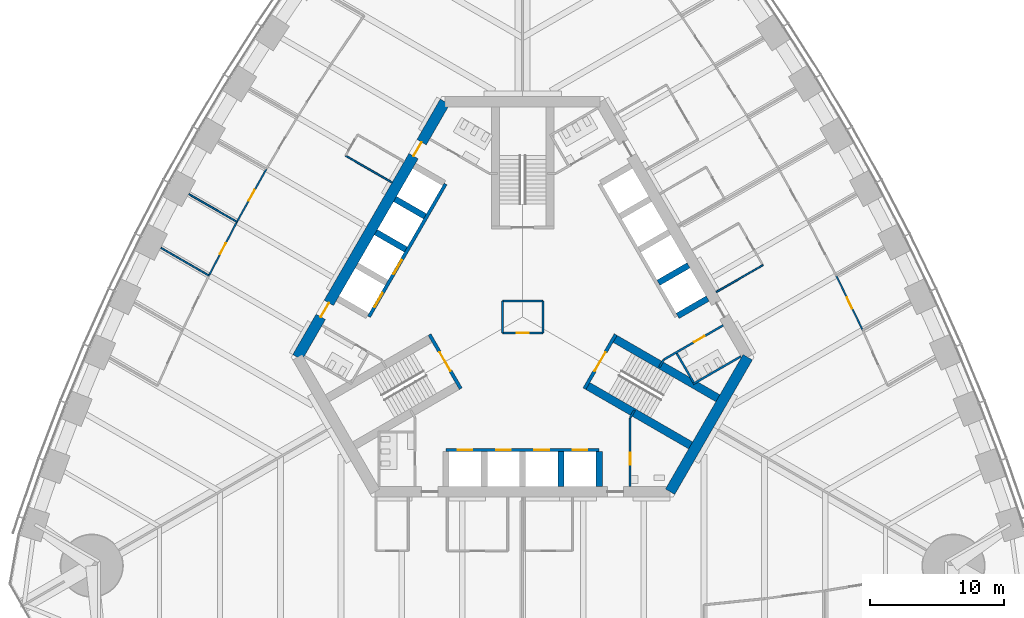
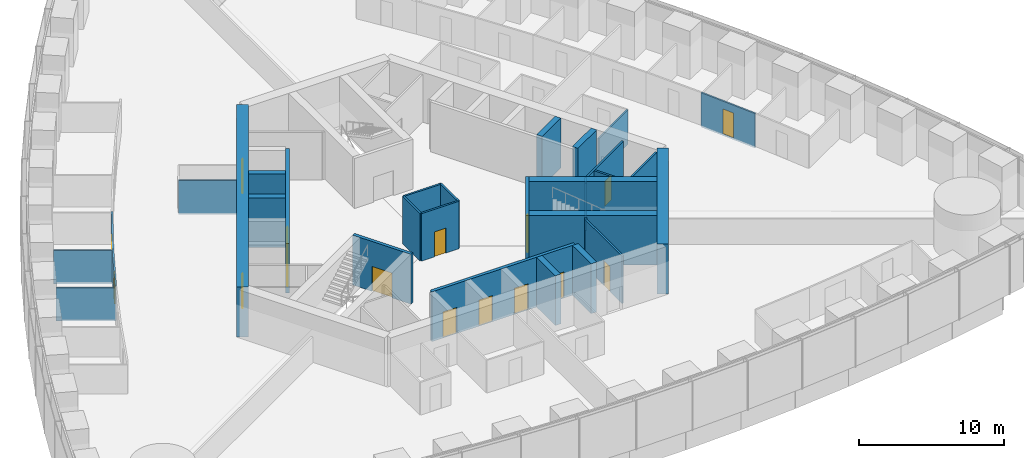
# One storey, part 11 of 19: 31 walls, 16 doors, 16 openings.
"""IFC4 building model written with IfcOpenShell, lengths in metres."""

from ifc_helpers import new_model, si_unit, direction, frame, frame_2d, origin, place, context, subcontext, project, spatial, rectangle, extrude, material, layer, layer_set, type_object, element, fill, save


model = new_model("IFC4")

# Units and contexts
model_context = context("Model", 3, precision=1e-05, world=origin(), true_north=direction((0.0, 1.0)))
body_context = subcontext(model_context, "Body", "Model", "MODEL_VIEW")
ifc_project = project(units=[si_unit("LENGTHUNIT", "METRE"), si_unit("AREAUNIT", "SQUARE_METRE"), si_unit("VOLUMEUNIT", "CUBIC_METRE"), si_unit("PLANEANGLEUNIT", "RADIAN"), si_unit("MASSUNIT", "GRAM", prefix="KILO")], contexts=[model_context])

# Site, building, storey
site_placement = place(None, origin())
site = spatial("IfcSite", under=ifc_project, at=site_placement, CompositionType="ELEMENT")
building_placement = place(site_placement, origin())
building = spatial("IfcBuilding", under=site, at=building_placement, Name="Trefoil Bronze Tower", CompositionType="ELEMENT")
storey_placement = place(building_placement, frame((0.0, 0.0, 79.5)))
storey = spatial("IfcBuildingStorey", under=building, at=storey_placement, Name="L18", CompositionType="ELEMENT", Elevation=79.5)

# Wall
ifc_material_1 = material(Name="Concrete B80", Category="concrete")
ifc_layer_1 = layer(ifc_material_1, 0.800048828125)
ifc_layer_set_1 = layer_set([ifc_layer_1], Name="Core wall 800")
wall_type_1 = type_object("IfcWallType", Name="Core wall 800", PredefinedType="SHEAR", material=ifc_layer_set_1)
wall_1_placement = place(storey_placement, frame((10.9697265625, -13.0, 0.0), z_axis=(0.0, 0.0, 1.0), x_axis=(0.499995765644, 0.866027848477, 0.0)))
element("IfcWall", 1, at=wall_1_placement, inside=storey, type_object=wall_type_1, Name="Core short wall 1 L18", PredefinedType="SHEAR", context=body_context, shape_type="SweptSolid", body=[
    extrude(rectangle(XDim=11.546875, YDim=0.800048828125, at=frame_2d((5.7734375, 0.0))), origin(), (0.0, 0.0, 1.0), 4.199951171875),
])

# Wall, openings, doors
wall_2_placement = place(storey_placement, frame((-5.7734375, 16.0, 0.0), z_axis=(0.0, 0.0, 1.0), x_axis=(-0.500002442456, -0.866023993627, 0.0)))
wall_2 = element("IfcWall", 2, at=wall_2_placement, inside=storey, type_object=wall_type_1, Name="Core long wall 3 L18", PredefinedType="SHEAR", context=body_context, shape_type="SweptSolid", body=[
    extrude(rectangle(XDim=21.939453125, YDim=0.800048828125, at=frame_2d((10.9697265625, 0.0))), origin(), (0.0, 0.0, 1.0), 4.199951171875),
])
opening_1_placement = place(wall_2_placement, frame((17.269775390625, 0.0, 0.0)))
opening_1 = element("IfcOpeningElement", 3, at=opening_1_placement, cuts=wall_2, Name="Opening D2", PredefinedType="OPENING", context=body_context, shape_type="SweptSolid", body=[
    extrude(rectangle(XDim=1.199951171875, YDim=2.10009765625, at=frame_2d((0.60009765625, 1.050048828125))), frame((0.0, 0.409912109375, 0.0), z_axis=(0.0, -1.0, 0.0), x_axis=(1.0, 0.0, 0.0)), (0.0, 0.0, 1.0), 0.820068359375),
])
opening_2_placement = place(wall_2_placement, frame((3.4697265625, 0.0, 0.0)))
opening_2 = element("IfcOpeningElement", 4, at=opening_2_placement, cuts=wall_2, Name="Opening D2", PredefinedType="OPENING", context=body_context, shape_type="SweptSolid", body=[
    extrude(rectangle(XDim=1.199951171875, YDim=2.10009765625, at=frame_2d((0.60009765625, 1.050048828125))), frame((0.0, 0.409912109375, 0.0), z_axis=(0.0, -1.0, 0.0), x_axis=(1.0, 0.0, 0.0)), (0.0, 0.0, 1.0), 0.820068359375),
])
ifc_material_2 = material(Name="Steel door", Category="steel")
door_type_1 = type_object("IfcDoorType", Name="Lobby door 1200", OperationType="SINGLE_SWING_RIGHT", PredefinedType="DOOR", material=ifc_material_2)
door_1_placement = place(opening_1_placement, origin())
door_1 = element("IfcDoor", 5, at=door_1_placement, inside=storey, type_object=door_type_1, Name="Lobby door F3+ L18", OperationType="SINGLE_SWING_RIGHT", OverallHeight=2.10009765625, OverallWidth=1.199951171875, PredefinedType="DOOR", context=body_context, shape_type="SweptSolid", body=[
    extrude(rectangle(XDim=1.199951171875, YDim=2.10009765625, at=frame_2d((0.60009765625, 1.050048828125))), frame((0.0, 0.02490234375, 0.0), z_axis=(0.0, -1.0, 0.0), x_axis=(1.0, 0.0, 0.0)), (0.0, 0.0, 1.0), 0.050048828125),
])
fill(opening_1, door_1)
door_2_placement = place(opening_2_placement, origin())
door_2 = element("IfcDoor", 6, at=door_2_placement, inside=storey, type_object=door_type_1, Name="Lobby door F3- L18", OperationType="SINGLE_SWING_LEFT", OverallHeight=2.10009765625, OverallWidth=1.199951171875, PredefinedType="DOOR", context=body_context, shape_type="SweptSolid", body=[
    extrude(rectangle(XDim=1.199951171875, YDim=2.10009765625, at=frame_2d((0.60009765625, 1.050048828125))), frame((0.0, 0.02490234375, 0.0), z_axis=(0.0, -1.0, 0.0), x_axis=(1.0, 0.0, 0.0)), (0.0, 0.0, 1.0), 0.050048828125),
])
fill(opening_2, door_2)

# Wall
ifc_material_3 = material(Name="Glazed partition", Category="glass")
ifc_layer_2 = layer(ifc_material_3, 0.1201171875)
ifc_layer_set_2 = layer_set([ifc_layer_2], Name="Glazed partition 120")
wall_type_2 = type_object("IfcWallType", Name="Glazed partition 120", PredefinedType="PARTITIONING", material=ifc_layer_set_2)
wall_3_placement = place(storey_placement, frame((14.40478515625, 1.850341796875, 0.0), z_axis=(0.0, 0.0, 1.0), x_axis=(0.866026010844, 0.49999894854, 0.0)))
element("IfcWall", 7, at=wall_3_placement, inside=storey, type_object=wall_type_2, Name="Partition F2 L18", PredefinedType="PARTITIONING", context=body_context, shape_type="SweptSolid", body=[
    extrude(rectangle(XDim=4.0, YDim=0.1201171875, at=frame_2d((2.0, 0.0))), origin(), (0.0, 0.0, 1.0), 2.89990234375),
])

# Wall, opening, door
wall_4_placement = place(storey_placement, frame((25.291748046875, -0.986328125, 0.0), z_axis=(0.0, 0.0, 1.0), x_axis=(-0.435857917556, 0.900015486369, 0.0)))
wall_4 = element("IfcWall", 8, at=wall_4_placement, inside=storey, type_object=wall_type_2, Name="Partition F2 L18", PredefinedType="PARTITIONING", context=body_context, shape_type="SweptSolid", body=[
    extrude(rectangle(XDim=4.511962890625, YDim=0.1201171875, at=frame_2d((2.255859375, 0.0))), origin(), (0.0, 0.0, 1.0), 2.89990234375),
])
opening_3_placement = place(wall_4_placement, frame((1.800048828125, 0.0, 0.14990234375)))
opening_3 = element("IfcOpeningElement", 9, at=opening_3_placement, cuts=wall_4, Name="Opening D8", PredefinedType="OPENING", context=body_context, shape_type="SweptSolid", body=[
    extrude(rectangle(XDim=0.89990234375, YDim=2.10009765625, at=frame_2d((0.449951171875, 1.050048828125))), frame((0.0, 0.070068359375, 0.0), z_axis=(0.0, -1.0, 0.0), x_axis=(1.0, 0.0, 0.0)), (0.0, 0.0, 1.0), 0.14013671875),
])
ifc_material_4 = material(Name="Timber door", Category="wood")
door_type_2 = type_object("IfcDoorType", Name="Office door 900", OperationType="SINGLE_SWING_LEFT", PredefinedType="DOOR", material=ifc_material_4)
door_3_placement = place(opening_3_placement, frame((0.89990234375, 0.0, 0.0), z_axis=(0.0, 0.0, 1.0), x_axis=(-1.0, 0.0, 0.0)))
door_3 = element("IfcDoor", 10, at=door_3_placement, inside=storey, type_object=door_type_2, Name="Office door F2 L18", OperationType="SINGLE_SWING_RIGHT", OverallHeight=2.10009765625, OverallWidth=0.89990234375, PredefinedType="DOOR", context=body_context, shape_type="SweptSolid", body=[
    extrude(rectangle(XDim=0.89990234375, YDim=2.10009765625, at=frame_2d((0.449951171875, 1.050048828125))), frame((0.0, 0.02490234375, 0.0), z_axis=(0.0, -1.0, 0.0), x_axis=(1.0, 0.0, 0.0)), (0.0, 0.0, 1.0), 0.050048828125),
])
fill(opening_3, door_3)

# Wall
wall_5_placement = place(storey_placement, frame((-9.704833984375, 9.990966796875, 0.0), z_axis=(0.0, 0.0, 1.0), x_axis=(-0.866026010844, 0.49999894854, 0.0)))
element("IfcWall", 11, at=wall_5_placement, inside=storey, type_object=wall_type_2, Name="Partition F3 L18", PredefinedType="PARTITIONING", context=body_context, shape_type="SweptSolid", body=[
    extrude(rectangle(XDim=4.0, YDim=0.1201171875, at=frame_2d((2.0, 0.0))), origin(), (0.0, 0.0, 1.0), 2.89990234375),
])

# Wall, opening, door
wall_6_placement = place(storey_placement, frame((-19.051513671875, 10.999267578125, 0.0), z_axis=(0.0, 0.0, 1.0), x_axis=(-0.487373854787, -0.873193406795, 0.0)))
wall_6 = element("IfcWall", 12, at=wall_6_placement, inside=storey, type_object=wall_type_2, Name="Partition F3 L18", PredefinedType="PARTITIONING", context=body_context, shape_type="SweptSolid", body=[
    extrude(rectangle(XDim=4.500244140625, YDim=0.1201171875, at=frame_2d((2.25, 0.0))), origin(), (0.0, 0.0, 1.0), 2.89990234375),
])
opening_4_placement = place(wall_6_placement, frame((1.800048828125, 0.0, 0.14990234375)))
opening_4 = element("IfcOpeningElement", 13, at=opening_4_placement, cuts=wall_6, Name="Opening D8", PredefinedType="OPENING", context=body_context, shape_type="SweptSolid", body=[
    extrude(rectangle(XDim=0.89990234375, YDim=2.10009765625, at=frame_2d((0.449951171875, 1.050048828125))), frame((0.0, 0.070068359375, 0.0), z_axis=(0.0, -1.0, 0.0), x_axis=(1.0, 0.0, 0.0)), (0.0, 0.0, 1.0), 0.14013671875),
])
door_4_placement = place(opening_4_placement, frame((0.89990234375, 0.0, 0.0), z_axis=(0.0, 0.0, 1.0), x_axis=(-1.0, 0.0, 0.0)))
door_4 = element("IfcDoor", 14, at=door_4_placement, inside=storey, type_object=door_type_2, Name="Office door F3 L18", OperationType="SINGLE_SWING_RIGHT", OverallHeight=2.10009765625, OverallWidth=0.89990234375, PredefinedType="DOOR", context=body_context, shape_type="SweptSolid", body=[
    extrude(rectangle(XDim=0.89990234375, YDim=2.10009765625, at=frame_2d((0.449951171875, 1.050048828125))), frame((0.0, 0.02490234375, 0.0), z_axis=(0.0, -1.0, 0.0), x_axis=(1.0, 0.0, 0.0)), (0.0, 0.0, 1.0), 0.050048828125),
])
fill(opening_4, door_4)

wall_7_placement = place(storey_placement, frame((-21.244873046875, 7.069580078125, 0.0), z_axis=(0.0, 0.0, 1.0), x_axis=(-0.461852697957, -0.886956642339, 0.0)))
wall_7 = element("IfcWall", 15, at=wall_7_placement, inside=storey, type_object=wall_type_2, Name="Partition F3 L18", PredefinedType="PARTITIONING", context=body_context, shape_type="SweptSolid", body=[
    extrude(rectangle(XDim=4.50439453125, YDim=0.1201171875, at=frame_2d((2.252197265625, 0.0))), origin(), (0.0, 0.0, 1.0), 2.89990234375),
])
opening_5_placement = place(wall_7_placement, frame((1.800048828125, 0.0, 0.14990234375)))
opening_5 = element("IfcOpeningElement", 16, at=opening_5_placement, cuts=wall_7, Name="Opening D8", PredefinedType="OPENING", context=body_context, shape_type="SweptSolid", body=[
    extrude(rectangle(XDim=0.89990234375, YDim=2.10009765625, at=frame_2d((0.449951171875, 1.050048828125))), frame((0.0, 0.070068359375, 0.0), z_axis=(0.0, -1.0, 0.0), x_axis=(1.0, 0.0, 0.0)), (0.0, 0.0, 1.0), 0.14013671875),
])
door_5_placement = place(opening_5_placement, frame((0.89990234375, 0.0, 0.0), z_axis=(0.0, 0.0, 1.0), x_axis=(-1.0, 0.0, 0.0)))
door_5 = element("IfcDoor", 17, at=door_5_placement, inside=storey, type_object=door_type_2, Name="Office door F3 L18", OperationType="SINGLE_SWING_RIGHT", OverallHeight=2.10009765625, OverallWidth=0.89990234375, PredefinedType="DOOR", context=body_context, shape_type="SweptSolid", body=[
    extrude(rectangle(XDim=0.89990234375, YDim=2.10009765625, at=frame_2d((0.449951171875, 1.050048828125))), frame((0.0, 0.02490234375, 0.0), z_axis=(0.0, -1.0, 0.0), x_axis=(1.0, 0.0, 0.0)), (0.0, 0.0, 1.0), 0.050048828125),
])
fill(opening_5, door_5)

# Walls
wall_8_placement = place(storey_placement, frame((-21.244873046875, 7.069580078125, 0.0), z_axis=(0.0, 0.0, 1.0), x_axis=(-0.866031617834, 0.499989236795, 0.0)))
element("IfcWall", 18, at=wall_8_placement, inside=storey, type_object=wall_type_2, Name="Partition F3 L18", PredefinedType="PARTITIONING", context=body_context, shape_type="SweptSolid", body=[
    extrude(rectangle(XDim=4.119140625, YDim=0.1201171875, at=frame_2d((2.0595703125, 0.0))), origin(), (0.0, 0.0, 1.0), 2.800048828125),
])
wall_9_placement = place(storey_placement, frame((-23.3251953125, 3.074462890625, 0.0), z_axis=(0.0, 0.0, 1.0), x_axis=(-0.866030556495, 0.499991075137, 0.0)))
element("IfcWall", 19, at=wall_9_placement, inside=storey, type_object=wall_type_2, Name="Partition F3 L18", PredefinedType="PARTITIONING", context=body_context, shape_type="SweptSolid", body=[
    extrude(rectangle(XDim=4.1171875, YDim=0.1201171875, at=frame_2d((2.05859375, 0.0))), origin(), (0.0, 0.0, 1.0), 2.800048828125),
])
ifc_material_5 = material(Name="Concrete B80", Category="concrete")
ifc_layer_3 = layer(ifc_material_5, 0.449951171875)
ifc_layer_set_3 = layer_set([ifc_layer_3], Name="Outrigger shaft wall 450")
wall_type_3 = type_object("IfcWallType", Name="Outrigger shaft wall 450", PredefinedType="SHEAR", material=ifc_layer_set_3)
for number, where, z_axis, x_axis, name in (
    (20, (2.85009765625, -10.02490234375, 0.0), (0.0, 0.0, 1.0), (0.0, -1.0, 0.0), "Lift shaft side wall A3 L18"),
    (21, (5.699951171875, -10.02490234375, 0.0), (0.0, 0.0, 1.0), (0.0, -1.0, 0.0), "Lift shaft side wall A4 L18"),
):
    element("IfcWall", number, at=place(storey_placement, frame(where, z_axis=z_axis, x_axis=x_axis)), inside=storey, type_object=wall_type_3, Name=name, PredefinedType="SHEAR", context=body_context, shape_type="SweptSolid", body=[
        extrude(rectangle(XDim=2.5751953125, YDim=0.449951171875, at=frame_2d((1.28759765625, 0.0))), origin(), (0.0, 0.0, 1.0), 4.199951171875),
    ])
for number, where, z_axis, x_axis, name in (
    (22, (11.531982421875, 0.076171875, 0.0), (0.0, 0.0, 1.0), (0.866005588531, 0.500034319456, 0.0), "Lift shaft side wall B0 L18"),
    (23, (10.10693359375, 2.54443359375, 0.0), (0.0, 0.0, 1.0), (0.866046643894, 0.499963209246, 0.0), "Lift shaft side wall B1 L18"),
    (24, (-7.2568359375, 7.480712890625, 0.0), (0.0, 0.0, 1.0), (-0.866046643894, 0.499963209246, 0.0), "Lift shaft side wall C1 L18"),
    (25, (-8.681884765625, 5.012451171875, 0.0), (0.0, 0.0, 1.0), (-0.866005588531, 0.500034319456, 0.0), "Lift shaft side wall C2 L18"),
):
    element("IfcWall", number, at=place(storey_placement, frame(where, z_axis=z_axis, x_axis=x_axis)), inside=storey, type_object=wall_type_3, Name=name, PredefinedType="SHEAR", context=body_context, shape_type="SweptSolid", body=[
        extrude(rectangle(XDim=2.574951171875, YDim=0.449951171875, at=frame_2d((1.28759765625, 0.0))), origin(), (0.0, 0.0, 1.0), 4.199951171875),
    ])

# Wall, opening, door
ifc_material_6 = material(Name="Gypsum board on steel studs", Category="steel")
ifc_layer_4 = layer(ifc_material_6, 0.14990234375)
ifc_layer_set_4 = layer_set([ifc_layer_4], Name="Partition 150")
wall_type_4 = type_object("IfcWallType", Name="Partition 150", PredefinedType="PARTITIONING", material=ifc_layer_set_4)
wall_10_placement = place(storey_placement, frame((8.0, -7.5, 0.0), z_axis=(0.0, 0.0, 1.0), x_axis=(0.0, -1.0, 0.0)))
wall_10 = element("IfcWall", 26, at=wall_10_placement, inside=storey, type_object=wall_type_4, Name="Passage wall F1+ L18", PredefinedType="PARTITIONING", context=body_context, shape_type="SweptSolid", body=[
    extrude(rectangle(XDim=5.10009765625, YDim=0.14990234375, at=frame_2d((2.550048828125, 0.0))), origin(), (0.0, 0.0, 1.0), 4.0),
])
opening_6_placement = place(wall_10_placement, frame((2.60009765625, 0.0, 0.0)))
opening_6 = element("IfcOpeningElement", 27, at=opening_6_placement, cuts=wall_10, Name="Opening D3", PredefinedType="OPENING", context=body_context, shape_type="SweptSolid", body=[
    extrude(rectangle(XDim=0.89990234375, YDim=2.10009765625, at=frame_2d((0.449951171875, 1.050048828125))), frame((0.0, 0.0849609375, 0.0), z_axis=(0.0, -1.0, 0.0), x_axis=(1.0, 0.0, 0.0)), (0.0, 0.0, 1.0), 0.169921875),
])
ifc_material_7 = material(Name="Timber door", Category="wood")
door_type_3 = type_object("IfcDoorType", Name="WC door 900", OperationType="SINGLE_SWING_LEFT", PredefinedType="DOOR", material=ifc_material_7)
door_6_placement = place(opening_6_placement, origin())
door_6 = element("IfcDoor", 28, at=door_6_placement, inside=storey, type_object=door_type_3, Name="Accessible WC door L18", OperationType="SINGLE_SWING_RIGHT", OverallHeight=2.10009765625, OverallWidth=0.89990234375, PredefinedType="DOOR", context=body_context, shape_type="SweptSolid", body=[
    extrude(rectangle(XDim=0.89990234375, YDim=2.10009765625, at=frame_2d((0.449951171875, 1.050048828125))), frame((0.0, 0.02490234375, 0.0), z_axis=(0.0, -1.0, 0.0), x_axis=(1.0, 0.0, 0.0)), (0.0, 0.0, 1.0), 0.050048828125),
])
fill(opening_6, door_6)

wall_11_placement = place(storey_placement, frame((10.4951171875, -3.17822265625, 0.0), z_axis=(0.0, 0.0, 1.0), x_axis=(0.86602216432, 0.500005610874, 0.0)))
wall_11 = element("IfcWall", 29, at=wall_11_placement, inside=storey, type_object=wall_type_4, Name="Passage wall F2- L18", PredefinedType="PARTITIONING", context=body_context, shape_type="SweptSolid", body=[
    extrude(rectangle(XDim=5.10009765625, YDim=0.14990234375, at=frame_2d((2.550048828125, 0.0))), origin(), (0.0, 0.0, 1.0), 4.0),
])
opening_7_placement = place(wall_11_placement, frame((2.60009765625, 0.0, 0.0)))
opening_7 = element("IfcOpeningElement", 30, at=opening_7_placement, cuts=wall_11, Name="Opening D3", PredefinedType="OPENING", context=body_context, shape_type="SweptSolid", body=[
    extrude(rectangle(XDim=0.89990234375, YDim=2.10009765625, at=frame_2d((0.449951171875, 1.050048828125))), frame((0.0, 0.0849609375, 0.0), z_axis=(0.0, -1.0, 0.0), x_axis=(1.0, 0.0, 0.0)), (0.0, 0.0, 1.0), 0.169921875),
])
door_7_placement = place(opening_7_placement, frame((0.89990234375, 0.0, 0.0), z_axis=(0.0, 0.0, 1.0), x_axis=(-1.0, 0.0, 0.0)))
door_7 = element("IfcDoor", 31, at=door_7_placement, inside=storey, type_object=door_type_3, Name="WC (women) door L18", OperationType="SINGLE_SWING_RIGHT", OverallHeight=2.10009765625, OverallWidth=0.89990234375, PredefinedType="DOOR", context=body_context, shape_type="SweptSolid", body=[
    extrude(rectangle(XDim=0.89990234375, YDim=2.10009765625, at=frame_2d((0.449951171875, 1.050048828125))), frame((0.0, 0.02490234375, 0.0), z_axis=(0.0, -1.0, 0.0), x_axis=(1.0, 0.0, 0.0)), (0.0, 0.0, 1.0), 0.050048828125),
])
fill(opening_7, door_7)

# Walls
for number, where, z_axis, x_axis, name in (
    (32, (8.0, -7.5, 0.0), (0.0, 0.0, 1.0), (0.499842556608, 0.866116284689, 0.0), "WC wall ST1-1 L18"),
    (33, (10.4951171875, -3.17822265625, 0.0), (0.0, 0.0, 1.0), (-0.499842556608, -0.866116284689, 0.0), "WC wall ST1+1 L18"),
):
    element("IfcWall", number, at=place(storey_placement, frame(where, z_axis=z_axis, x_axis=x_axis)), inside=storey, type_object=wall_type_4, Name=name, PredefinedType="PARTITIONING", context=body_context, shape_type="SweptSolid", body=[
        extrude(rectangle(XDim=0.645263671875, YDim=0.14990234375, at=frame_2d((0.32275390625, 0.0))), origin(), (0.0, 0.0, 1.0), 4.0),
    ])
wall_12_placement = place(storey_placement, frame((12.691162109375, -4.98193359375, 0.0), z_axis=(0.0, 0.0, 1.0), x_axis=(0.8660249478, 0.500000789788, 0.0)))
element("IfcWall", 34, at=wall_12_placement, inside=storey, type_object=wall_type_4, Name="WC partition WC (women) L18", PredefinedType="PARTITIONING", context=body_context, shape_type="SweptSolid", body=[
    extrude(rectangle(XDim=4.10009765625, YDim=0.14990234375, at=frame_2d((2.050048828125, 0.0))), origin(), (0.0, 0.0, 1.0), 4.0),
])
wall_13_placement = place(storey_placement, frame((11.463623046875, -2.70556640625, 0.0), z_axis=(0.0, 0.0, 1.0), x_axis=(0.50001992892, -0.866013897511, 0.0)))
element("IfcWall", 35, at=wall_13_placement, inside=storey, type_object=wall_type_4, Name="WC partition WC (women) L18", PredefinedType="PARTITIONING", context=body_context, shape_type="SweptSolid", body=[
    extrude(rectangle(XDim=2.51025390625, YDim=0.14990234375, at=frame_2d((1.255126953125, 0.0))), origin(), (0.0, 0.0, 1.0), 4.0),
])

# Wall, opening, door
ifc_material_8 = material(Name="Gypsum board on steel studs", Category="steel")
ifc_layer_5 = layer(ifc_material_8, 0.14990234375)
ifc_layer_set_5 = layer_set([ifc_layer_5], Name="Riser wall 150")
wall_type_5 = type_object("IfcWallType", Name="Riser wall 150", PredefinedType="PARTITIONING", material=ifc_layer_set_5)
wall_14_placement = place(storey_placement, frame((-1.5, -1.199951171875, 0.0), z_axis=(0.0, 0.0, 1.0), x_axis=(1.0, 0.0, 0.0)))
wall_14 = element("IfcWall", 36, at=wall_14_placement, inside=storey, type_object=wall_type_5, Name="Riser wall L18", PredefinedType="PARTITIONING", context=body_context, shape_type="SweptSolid", body=[
    extrude(rectangle(XDim=3.0, YDim=0.14990234375, at=frame_2d((1.5, 0.0))), origin(), (0.0, 0.0, 1.0), 4.0),
])
opening_8_placement = place(wall_14_placement, frame((1.050048828125, 0.0, 0.0)))
opening_8 = element("IfcOpeningElement", 37, at=opening_8_placement, cuts=wall_14, Name="Opening D4", PredefinedType="OPENING", context=body_context, shape_type="SweptSolid", body=[
    extrude(rectangle(XDim=0.89990234375, YDim=2.10009765625, at=frame_2d((0.449951171875, 1.050048828125))), frame((0.0, 0.0849609375, 0.0), z_axis=(0.0, -1.0, 0.0), x_axis=(1.0, 0.0, 0.0)), (0.0, 0.0, 1.0), 0.169921875),
])
ifc_material_9 = material(Name="Steel door", Category="steel")
door_type_4 = type_object("IfcDoorType", Name="Riser door 900", OperationType="SINGLE_SWING_LEFT", PredefinedType="DOOR", material=ifc_material_9)
door_8_placement = place(opening_8_placement, frame((0.89990234375, 0.0, 0.0), z_axis=(0.0, 0.0, 1.0), x_axis=(-1.0, 0.0, 0.0)))
door_8 = element("IfcDoor", 38, at=door_8_placement, inside=storey, type_object=door_type_4, Name="Riser door L18", OperationType="SINGLE_SWING_LEFT", OverallHeight=2.10009765625, OverallWidth=0.89990234375, PredefinedType="DOOR", context=body_context, shape_type="SweptSolid", body=[
    extrude(rectangle(XDim=0.89990234375, YDim=2.10009765625, at=frame_2d((0.449951171875, 1.050048828125))), frame((0.0, 0.02490234375, 0.0), z_axis=(0.0, -1.0, 0.0), x_axis=(1.0, 0.0, 0.0)), (0.0, 0.0, 1.0), 0.050048828125),
])
fill(opening_8, door_8)

# Walls
wall_15_placement = place(storey_placement, frame((1.5, -1.199951171875, 0.0), z_axis=(0.0, 0.0, 1.0), x_axis=(0.0, 1.0, 0.0)))
element("IfcWall", 39, at=wall_15_placement, inside=storey, type_object=wall_type_5, Name="Riser wall L18", PredefinedType="PARTITIONING", context=body_context, shape_type="SweptSolid", body=[
    extrude(rectangle(XDim=2.39990234375, YDim=0.14990234375, at=frame_2d((1.199951171875, 0.0))), origin(), (0.0, 0.0, 1.0), 4.0),
])
wall_16_placement = place(storey_placement, frame((1.5, 1.199951171875, 0.0), z_axis=(0.0, 0.0, 1.0), x_axis=(-1.0, 0.0, 0.0)))
element("IfcWall", 40, at=wall_16_placement, inside=storey, type_object=wall_type_5, Name="Riser wall L18", PredefinedType="PARTITIONING", context=body_context, shape_type="SweptSolid", body=[
    extrude(rectangle(XDim=3.0, YDim=0.14990234375, at=frame_2d((1.5, 0.0))), origin(), (0.0, 0.0, 1.0), 4.0),
])
wall_17_placement = place(storey_placement, frame((-1.5, 1.199951171875, 0.0), z_axis=(0.0, 0.0, 1.0), x_axis=(0.0, -1.0, 0.0)))
element("IfcWall", 41, at=wall_17_placement, inside=storey, type_object=wall_type_5, Name="Riser wall L18", PredefinedType="PARTITIONING", context=body_context, shape_type="SweptSolid", body=[
    extrude(rectangle(XDim=2.39990234375, YDim=0.14990234375, at=frame_2d((1.199951171875, 0.0))), origin(), (0.0, 0.0, 1.0), 4.0),
])

# Wall, openings, doors
ifc_material_10 = material(Name="Concrete B80", Category="concrete")
ifc_layer_6 = layer(ifc_material_10, 0.25)
ifc_layer_set_6 = layer_set([ifc_layer_6], Name="Shaft wall 250")
wall_type_6 = type_object("IfcWallType", Name="Shaft wall 250", PredefinedType="SHEAR", material=ifc_layer_set_6)
wall_18_placement = place(storey_placement, frame((-5.699951171875, -9.89990234375, 0.0), z_axis=(0.0, 0.0, 1.0), x_axis=(1.0, 0.0, 0.0)))
wall_18 = element("IfcWall", 42, at=wall_18_placement, inside=storey, type_object=wall_type_6, Name="Lift shaft front wall A L18", PredefinedType="SHEAR", context=body_context, shape_type="SweptSolid", body=[
    extrude(rectangle(XDim=11.39990234375, YDim=0.25, at=frame_2d((5.699951171875, 0.0))), origin(), (0.0, 0.0, 1.0), 4.199951171875),
])
opening_9_placement = place(wall_18_placement, frame((0.875, 0.0, 0.0)))
opening_9 = element("IfcOpeningElement", 43, at=opening_9_placement, cuts=wall_18, Name="Opening LD-P11", PredefinedType="OPENING", context=body_context, shape_type="SweptSolid", body=[
    extrude(rectangle(XDim=1.10009765625, YDim=2.199951171875, at=frame_2d((0.550048828125, 1.10009765625))), frame((0.0, 0.135009765625, 0.0), z_axis=(0.0, -1.0, 0.0), x_axis=(1.0, 0.0, 0.0)), (0.0, 0.0, 1.0), 0.27001953125),
])
opening_10_placement = place(wall_18_placement, frame((3.72509765625, 0.0, 0.0)))
opening_10 = element("IfcOpeningElement", 44, at=opening_10_placement, cuts=wall_18, Name="Opening LD-P12", PredefinedType="OPENING", context=body_context, shape_type="SweptSolid", body=[
    extrude(rectangle(XDim=1.10009765625, YDim=2.199951171875, at=frame_2d((0.550048828125, 1.10009765625))), frame((0.0, 0.135009765625, 0.0), z_axis=(0.0, -1.0, 0.0), x_axis=(1.0, 0.0, 0.0)), (0.0, 0.0, 1.0), 0.27001953125),
])
opening_11_placement = place(wall_18_placement, frame((6.574951171875, 0.0, 0.0)))
opening_11 = element("IfcOpeningElement", 45, at=opening_11_placement, cuts=wall_18, Name="Opening LD-P13", PredefinedType="OPENING", context=body_context, shape_type="SweptSolid", body=[
    extrude(rectangle(XDim=1.10009765625, YDim=2.199951171875, at=frame_2d((0.550048828125, 1.10009765625))), frame((0.0, 0.135009765625, 0.0), z_axis=(0.0, -1.0, 0.0), x_axis=(1.0, 0.0, 0.0)), (0.0, 0.0, 1.0), 0.27001953125),
])
opening_12_placement = place(wall_18_placement, frame((9.425048828125, 0.0, 0.0)))
opening_12 = element("IfcOpeningElement", 46, at=opening_12_placement, cuts=wall_18, Name="Opening LD-P14", PredefinedType="OPENING", context=body_context, shape_type="SweptSolid", body=[
    extrude(rectangle(XDim=1.10009765625, YDim=2.199951171875, at=frame_2d((0.550048828125, 1.10009765625))), frame((0.0, 0.135009765625, 0.0), z_axis=(0.0, -1.0, 0.0), x_axis=(1.0, 0.0, 0.0)), (0.0, 0.0, 1.0), 0.27001953125),
])
ifc_material_11 = material(Name="Steel door", Category="steel")
door_type_5 = type_object("IfcDoorType", Name="Lift landing door 1100", OperationType="DOUBLE_DOOR_SLIDING", PredefinedType="DOOR", material=ifc_material_11)
door_9_placement = place(opening_9_placement, origin())
door_9 = element("IfcDoor", 47, at=door_9_placement, inside=storey, type_object=door_type_5, Name="Lift P11 landing door L18", OperationType="DOUBLE_DOOR_SLIDING", OverallHeight=2.199951171875, OverallWidth=1.10009765625, PredefinedType="DOOR", context=body_context, shape_type="SweptSolid", body=[
    extrude(rectangle(XDim=1.10009765625, YDim=2.199951171875, at=frame_2d((0.550048828125, 1.10009765625))), frame((0.0, 0.02490234375, 0.0), z_axis=(0.0, -1.0, 0.0), x_axis=(1.0, 0.0, 0.0)), (0.0, 0.0, 1.0), 0.050048828125),
])
fill(opening_9, door_9)
door_10_placement = place(opening_10_placement, origin())
door_10 = element("IfcDoor", 48, at=door_10_placement, inside=storey, type_object=door_type_5, Name="Lift P12 landing door L18", OperationType="DOUBLE_DOOR_SLIDING", OverallHeight=2.199951171875, OverallWidth=1.10009765625, PredefinedType="DOOR", context=body_context, shape_type="SweptSolid", body=[
    extrude(rectangle(XDim=1.10009765625, YDim=2.199951171875, at=frame_2d((0.550048828125, 1.10009765625))), frame((0.0, 0.02490234375, 0.0), z_axis=(0.0, -1.0, 0.0), x_axis=(1.0, 0.0, 0.0)), (0.0, 0.0, 1.0), 0.050048828125),
])
fill(opening_10, door_10)
door_11_placement = place(opening_11_placement, origin())
door_11 = element("IfcDoor", 49, at=door_11_placement, inside=storey, type_object=door_type_5, Name="Lift P13 landing door L18", OperationType="DOUBLE_DOOR_SLIDING", OverallHeight=2.199951171875, OverallWidth=1.10009765625, PredefinedType="DOOR", context=body_context, shape_type="SweptSolid", body=[
    extrude(rectangle(XDim=1.10009765625, YDim=2.199951171875, at=frame_2d((0.550048828125, 1.10009765625))), frame((0.0, 0.02490234375, 0.0), z_axis=(0.0, -1.0, 0.0), x_axis=(1.0, 0.0, 0.0)), (0.0, 0.0, 1.0), 0.050048828125),
])
fill(opening_11, door_11)
door_12_placement = place(opening_12_placement, origin())
door_12 = element("IfcDoor", 50, at=door_12_placement, inside=storey, type_object=door_type_5, Name="Lift P14 landing door L18", OperationType="DOUBLE_DOOR_SLIDING", OverallHeight=2.199951171875, OverallWidth=1.10009765625, PredefinedType="DOOR", context=body_context, shape_type="SweptSolid", body=[
    extrude(rectangle(XDim=1.10009765625, YDim=2.199951171875, at=frame_2d((0.550048828125, 1.10009765625))), frame((0.0, 0.02490234375, 0.0), z_axis=(0.0, -1.0, 0.0), x_axis=(1.0, 0.0, 0.0)), (0.0, 0.0, 1.0), 0.050048828125),
])
fill(opening_12, door_12)

wall_19_placement = place(storey_placement, frame((-5.7236328125, 9.88623046875, 0.0), z_axis=(0.0, 0.0, 1.0), x_axis=(-0.500001763848, -0.866024385424, 0.0)))
wall_19 = element("IfcWall", 51, at=wall_19_placement, inside=storey, type_object=wall_type_6, Name="Lift shaft front wall C L18", PredefinedType="SHEAR", context=body_context, shape_type="SweptSolid", body=[
    extrude(rectangle(XDim=11.39990234375, YDim=0.25, at=frame_2d((5.699951171875, 0.0))), origin(), (0.0, 0.0, 1.0), 4.199951171875),
])
opening_13_placement = place(wall_19_placement, frame((6.52490234375, 0.0, 0.0)))
opening_13 = element("IfcOpeningElement", 52, at=opening_13_placement, cuts=wall_19, Name="Opening LD-FL1", PredefinedType="OPENING", context=body_context, shape_type="SweptSolid", body=[
    extrude(rectangle(XDim=1.199951171875, YDim=2.199951171875, at=frame_2d((0.60009765625, 1.10009765625))), frame((0.0, 0.135009765625, 0.0), z_axis=(0.0, -1.0, 0.0), x_axis=(1.0, 0.0, 0.0)), (0.0, 0.0, 1.0), 0.27001953125),
])
opening_14_placement = place(wall_19_placement, frame((9.375, 0.0, 0.0)))
opening_14 = element("IfcOpeningElement", 53, at=opening_14_placement, cuts=wall_19, Name="Opening LD-FL2", PredefinedType="OPENING", context=body_context, shape_type="SweptSolid", body=[
    extrude(rectangle(XDim=1.199951171875, YDim=2.199951171875, at=frame_2d((0.60009765625, 1.10009765625))), frame((0.0, 0.135009765625, 0.0), z_axis=(0.0, -1.0, 0.0), x_axis=(1.0, 0.0, 0.0)), (0.0, 0.0, 1.0), 0.27001953125),
])
ifc_material_12 = material(Name="Steel door", Category="steel")
door_type_6 = type_object("IfcDoorType", Name="Lift landing door 1200", OperationType="DOUBLE_DOOR_SLIDING", PredefinedType="DOOR", material=ifc_material_12)
door_13_placement = place(opening_13_placement, origin())
door_13 = element("IfcDoor", 54, at=door_13_placement, inside=storey, type_object=door_type_6, Name="Lift FL1 landing door L18", OperationType="DOUBLE_DOOR_SLIDING", OverallHeight=2.199951171875, OverallWidth=1.199951171875, PredefinedType="DOOR", context=body_context, shape_type="SweptSolid", body=[
    extrude(rectangle(XDim=1.199951171875, YDim=2.199951171875, at=frame_2d((0.60009765625, 1.10009765625))), frame((0.0, 0.02490234375, 0.0), z_axis=(0.0, -1.0, 0.0), x_axis=(1.0, 0.0, 0.0)), (0.0, 0.0, 1.0), 0.050048828125),
])
fill(opening_13, door_13)
door_14_placement = place(opening_14_placement, origin())
door_14 = element("IfcDoor", 55, at=door_14_placement, inside=storey, type_object=door_type_6, Name="Lift FL2 landing door L18", OperationType="DOUBLE_DOOR_SLIDING", OverallHeight=2.199951171875, OverallWidth=1.199951171875, PredefinedType="DOOR", context=body_context, shape_type="SweptSolid", body=[
    extrude(rectangle(XDim=1.199951171875, YDim=2.199951171875, at=frame_2d((0.60009765625, 1.10009765625))), frame((0.0, 0.02490234375, 0.0), z_axis=(0.0, -1.0, 0.0), x_axis=(1.0, 0.0, 0.0)), (0.0, 0.0, 1.0), 0.050048828125),
])
fill(opening_14, door_14)

# Wall, opening, door
wall_20_placement = place(storey_placement, frame((4.5966796875, -5.338623046875, 0.0), z_axis=(0.0, 0.0, 1.0), x_axis=(0.499984536904, 0.866034331223, 0.0)))
wall_20 = element("IfcWall", 56, at=wall_20_placement, inside=storey, type_object=wall_type_6, Name="Stair end wall ST1 L18", PredefinedType="SHEAR", context=body_context, shape_type="SweptSolid", body=[
    extrude(rectangle(XDim=4.650146484375, YDim=0.25, at=frame_2d((2.3251953125, 0.0))), origin(), (0.0, 0.0, 1.0), 4.199951171875),
])
opening_15_placement = place(wall_20_placement, frame((1.52490234375, 0.0, 0.0)))
opening_15 = element("IfcOpeningElement", 57, at=opening_15_placement, cuts=wall_20, Name="Opening D1", PredefinedType="OPENING", context=body_context, shape_type="SweptSolid", body=[
    extrude(rectangle(XDim=1.60009765625, YDim=2.10009765625, at=frame_2d((0.800048828125, 1.050048828125))), frame((0.0, 0.135009765625, 0.0), z_axis=(0.0, -1.0, 0.0), x_axis=(1.0, 0.0, 0.0)), (0.0, 0.0, 1.0), 0.27001953125),
])
ifc_material_13 = material(Name="Steel door", Category="steel")
door_type_7 = type_object("IfcDoorType", Name="Stair door 1600", OperationType="DOUBLE_DOOR_SINGLE_SWING", PredefinedType="DOOR", material=ifc_material_13)
door_15_placement = place(opening_15_placement, frame((1.60009765625, 0.0, 0.0), z_axis=(0.0, 0.0, 1.0), x_axis=(-1.0, 0.0, 0.0)))
door_15 = element("IfcDoor", 58, at=door_15_placement, inside=storey, type_object=door_type_7, Name="Stair door ST1 L18", OperationType="DOUBLE_DOOR_SINGLE_SWING", OverallHeight=2.10009765625, OverallWidth=1.60009765625, PredefinedType="DOOR", context=body_context, shape_type="SweptSolid", body=[
    extrude(rectangle(XDim=1.60009765625, YDim=2.10009765625, at=frame_2d((0.800048828125, 1.050048828125))), frame((0.0, 0.02490234375, 0.0), z_axis=(0.0, -1.0, 0.0), x_axis=(1.0, 0.0, 0.0)), (0.0, 0.0, 1.0), 0.050048828125),
])
fill(opening_15, door_15)

wall_21_placement = place(storey_placement, frame((-6.921630859375, -1.3115234375, 0.0), z_axis=(0.0, 0.0, 1.0), x_axis=(0.499984536904, -0.866034331223, 0.0)))
wall_21 = element("IfcWall", 59, at=wall_21_placement, inside=storey, type_object=wall_type_6, Name="Stair end wall ST3 L18", PredefinedType="SHEAR", context=body_context, shape_type="SweptSolid", body=[
    extrude(rectangle(XDim=4.650146484375, YDim=0.25, at=frame_2d((2.3251953125, 0.0))), origin(), (0.0, 0.0, 1.0), 4.199951171875),
])
opening_16_placement = place(wall_21_placement, frame((1.52490234375, 0.0, 0.0)))
opening_16 = element("IfcOpeningElement", 60, at=opening_16_placement, cuts=wall_21, Name="Opening D1", PredefinedType="OPENING", context=body_context, shape_type="SweptSolid", body=[
    extrude(rectangle(XDim=1.60009765625, YDim=2.10009765625, at=frame_2d((0.800048828125, 1.050048828125))), frame((0.0, 0.135009765625, 0.0), z_axis=(0.0, -1.0, 0.0), x_axis=(1.0, 0.0, 0.0)), (0.0, 0.0, 1.0), 0.27001953125),
])
door_16_placement = place(opening_16_placement, frame((1.60009765625, 0.0, 0.0), z_axis=(0.0, 0.0, 1.0), x_axis=(-1.0, 0.0, 0.0)))
door_16 = element("IfcDoor", 61, at=door_16_placement, inside=storey, type_object=door_type_7, Name="Stair door ST3 L18", OperationType="DOUBLE_DOOR_SINGLE_SWING", OverallHeight=2.10009765625, OverallWidth=1.60009765625, PredefinedType="DOOR", context=body_context, shape_type="SweptSolid", body=[
    extrude(rectangle(XDim=1.60009765625, YDim=2.10009765625, at=frame_2d((0.800048828125, 1.050048828125))), frame((0.0, 0.02490234375, 0.0), z_axis=(0.0, -1.0, 0.0), x_axis=(1.0, 0.0, 0.0)), (0.0, 0.0, 1.0), 0.050048828125),
])
fill(opening_16, door_16)

# Walls
ifc_material_14 = material(Name="Concrete B80", Category="concrete")
ifc_layer_7 = layer(ifc_material_14, 0.60009765625)
ifc_layer_set_7 = layer_set([ifc_layer_7], Name="Stair wall 600")
wall_type_7 = type_object("IfcWallType", Name="Stair wall 600", PredefinedType="SHEAR", material=ifc_layer_set_7)
for number, where, z_axis, x_axis, name in (
    (62, (4.638427734375, -5.01611328125, 0.0), (0.0, 0.0, 1.0), (0.866019375473, -0.500010441196, 0.0), "Stair wall ST1 L18"),
    (63, (6.663330078125, -1.5087890625, 0.0), (0.0, 0.0, 1.0), (0.866019375473, -0.500010441196, 0.0), "Stair wall ST1 L18"),
):
    element("IfcWall", number, at=place(storey_placement, frame(where, z_axis=z_axis, x_axis=x_axis)), inside=storey, type_object=wall_type_7, Name=name, PredefinedType="SHEAR", context=body_context, shape_type="SweptSolid", body=[
        extrude(rectangle(XDim=9.074951171875, YDim=0.60009765625, at=frame_2d((4.53759765625, 0.0))), origin(), (0.0, 0.0, 1.0), 4.199951171875),
    ])

save(model, "model.ifc")
